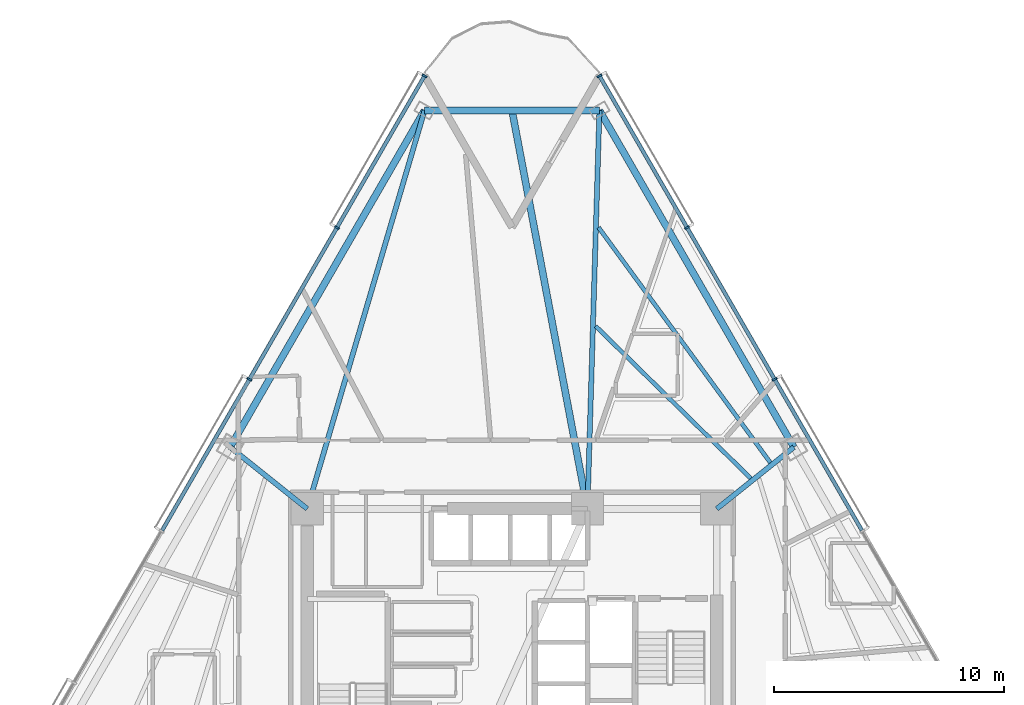
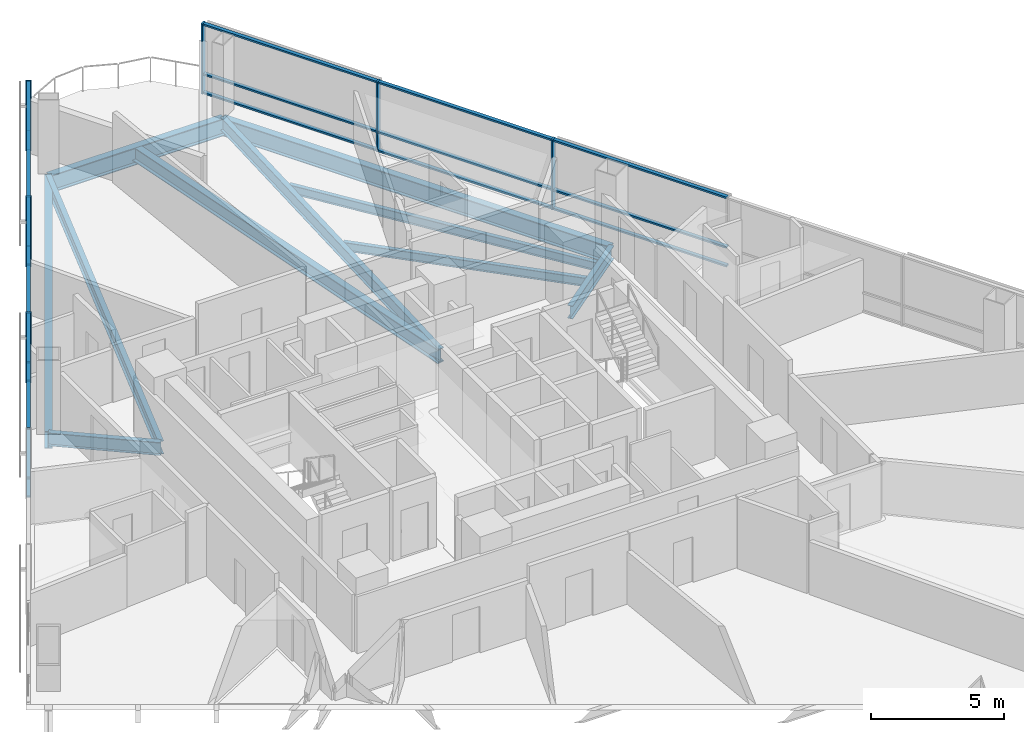
# One storey, part 5 of 18: 24 members, 10 beams, 2 elements without a shape of their own.
"""IFC4 building model written with IfcOpenShell, lengths in metres."""

import ifcopenshell
import ifcopenshell.guid

model = None  # the IFC model being written
_history = None  # IfcOwnerHistory: only IFC2X3 demands one
_inside = {}  # id of a spatial element -> (the spatial element, [elements in it])
_under = {}  # id of a project, library or spatial element -> (it, [spatial elements below it])
_declared = {}  # id of a project -> (the project, [libraries it declares])
_typed = {}  # id of a type object -> (the type object, [elements of that type])
_made_of = {}  # id of a material, layer set ... -> (it, [elements and type objects made of it])


def new_model(schema):
    """Start an empty IFC model of exactly this schema.

    Asked for "IFC4X3", IfcOpenShell would pick the latest addendum, in which some entities
    have other attributes; the version numbers below select the first issue.
    IFC2X3 requires an IfcOwnerHistory on every rooted entity: one is made here for all.
    """
    global model, _history
    if schema == "IFC4X3":
        model = ifcopenshell.file(schema_version=(4, 3, 0, 0))
    else:
        model = ifcopenshell.file(schema=schema)
    _inside.clear()
    _under.clear()
    _declared.clear()
    _typed.clear()
    _made_of.clear()
    _history = None
    if model.schema == "IFC2X3":
        org = make("IfcOrganization", Name="unknown")
        user = make(
            "IfcPersonAndOrganization",
            ThePerson=make("IfcPerson", FamilyName="unknown"),
            TheOrganization=org,
        )
        app = make(
            "IfcApplication",
            ApplicationDeveloper=org,
            Version="unknown",
            ApplicationFullName="unknown",
            ApplicationIdentifier="unknown",
        )
        _history = make(
            "IfcOwnerHistory",
            OwningUser=user,
            OwningApplication=app,
            ChangeAction="ADDED",
            CreationDate=0,
        )
    return model


def make(cls, **values):
    """One entity of the class cls with the attributes given. An attribute that is None is left unset."""
    return model.create_entity(
        cls, **{name: value for name, value in values.items() if value is not None}
    )


def rooted(cls, **values):
    """An entity with a GlobalId (a new one), such as an element, a storey or a relation."""
    return make(cls, GlobalId=ifcopenshell.guid.new(), OwnerHistory=_history, **values)


def si_unit(unit_type, name, prefix=None):
    """IfcSIUnit, for example si_unit("LENGTHUNIT", "METRE", prefix="MILLI")."""
    return make("IfcSIUnit", UnitType=unit_type, Prefix=prefix, Name=name)


def assignment(units):
    """IfcUnitAssignment: the units of a project."""
    return None if units is None else make("IfcUnitAssignment", Units=units)


def point(xyz):
    """IfcCartesianPoint."""
    return None if xyz is None else make("IfcCartesianPoint", Coordinates=xyz)


def direction(xyz):
    """IfcDirection."""
    return None if xyz is None else make("IfcDirection", DirectionRatios=xyz)


def frame(location, z_axis=None, x_axis=None):
    """IfcAxis2Placement3D, a coordinate frame: its origin and axes. An axis left out is left unset."""
    return make(
        "IfcAxis2Placement3D",
        Location=point(location),
        Axis=direction(z_axis),
        RefDirection=direction(x_axis),
    )


def frame_2d(location, x_axis=None):
    """IfcAxis2Placement2D, a coordinate frame in the plane: its origin and x axis."""
    return make(
        "IfcAxis2Placement2D", Location=point(location), RefDirection=direction(x_axis)
    )


def origin():
    """The frame at (0, 0, 0) with its axes left unset."""
    return frame((0.0, 0.0, 0.0))


def origin_2d():
    """The frame at (0, 0) in the plane with its x axis left unset."""
    return frame_2d((0.0, 0.0))


def place(relative_to, where):
    """IfcLocalPlacement: puts the frame where relative to a parent placement (None: the world)."""
    return make(
        "IfcLocalPlacement", PlacementRelTo=relative_to, RelativePlacement=where
    )


def context(
    kind, dimensions, precision=None, world=None, true_north=None, identifier=None
):
    """IfcGeometricRepresentationContext, for example the 3D "Model" context."""
    return make(
        "IfcGeometricRepresentationContext",
        ContextIdentifier=identifier,
        ContextType=kind,
        CoordinateSpaceDimension=dimensions,
        Precision=precision,
        WorldCoordinateSystem=world,
        TrueNorth=true_north,
    )


def subcontext(parent, identifier, kind, view, scale=None):
    """IfcGeometricRepresentationSubContext, for example "Body" below "Model"."""
    return make(
        "IfcGeometricRepresentationSubContext",
        ContextIdentifier=identifier,
        ContextType=kind,
        ParentContext=parent,
        TargetScale=scale,
        TargetView=view,
    )


def project(units=None, contexts=None):
    """IfcProject with its units and contexts."""
    return rooted(
        "IfcProject",
        Name="project",
        RepresentationContexts=contexts,
        UnitsInContext=assignment(units),
    )


def spatial(cls, under=None, at=None, **own):
    """A site, building, storey or space (cls), placed at a placement, below another one or the project."""
    s = rooted(cls, ObjectPlacement=at, **own)
    if under is not None:
        _under.setdefault(under.id(), (under, []))[1].append(s)
    return s


def profile(cls, at=None, kind="AREA", **sizes):
    """A parametric profile (cls). Its sizes go by their IFC names, for example OverallWidth=200.0."""
    return make(cls, ProfileType=kind, Position=at, **sizes)


def rectangle(**sizes):
    """IfcRectangleProfileDef."""
    return profile("IfcRectangleProfileDef", **sizes)


def i_section(**sizes):
    """IfcIShapeProfileDef."""
    return profile("IfcIShapeProfileDef", **sizes)


def extrude(swept, where, along, depth):
    """IfcExtrudedAreaSolid: the profile swept, set in the frame where, extruded along a direction by depth."""
    return make(
        "IfcExtrudedAreaSolid",
        SweptArea=swept,
        Position=where,
        ExtrudedDirection=direction(along),
        Depth=depth,
    )


def shape(context_of_items, identifier, shape_type, items):
    """IfcShapeRepresentation: the items that make up one representation, for example the "Body"."""
    return make(
        "IfcShapeRepresentation",
        ContextOfItems=context_of_items,
        RepresentationIdentifier=identifier,
        RepresentationType=shape_type,
        Items=items,
    )


def material(Name=None, Category=None):
    """IfcMaterial."""
    return make("IfcMaterial", Name=Name, Category=Category)


def layer(
    of_material, thickness, ventilated=None, Name=None, Category=None, Priority=None
):
    """IfcMaterialLayer: one layer of a wall or slab, of a material (None: an air gap)."""
    return make(
        "IfcMaterialLayer",
        Material=of_material,
        LayerThickness=thickness,
        IsVentilated=ventilated,
        Name=Name,
        Category=Category,
        Priority=Priority,
    )


def layer_set(layers, Name=None):
    """IfcMaterialLayerSet."""
    return make("IfcMaterialLayerSet", MaterialLayers=layers, LayerSetName=Name)


def material_profile(
    of_material, cross_section, Name=None, Category=None, Priority=None
):
    """IfcMaterialProfile: a cross section and its material."""
    return make(
        "IfcMaterialProfile",
        Name=Name,
        Material=of_material,
        Profile=cross_section,
        Priority=Priority,
        Category=Category,
    )


def profile_set(profiles, Name=None, composite=None):
    """IfcMaterialProfileSet."""
    return make(
        "IfcMaterialProfileSet",
        Name=Name,
        MaterialProfiles=profiles,
        CompositeProfile=composite,
    )


def made_of(thing, what):
    """Note that an element or type object is made of a material, layer set ...; save() writes the relation."""
    if what is not None:
        _made_of.setdefault(what.id(), (what, []))[1].append(thing)
    return thing


def type_object(cls, material=None, **own):
    """A type object (cls), such as IfcWallType, which elements share."""
    return made_of(rooted(cls, **own), material)


def element(
    cls,
    number,
    at=None,
    inside=None,
    cuts=None,
    type_object=None,
    material=None,
    context=None,
    identifier="Body",
    shape_type=None,
    held_by="IfcProductDefinitionShape",
    body=None,
    shapes=None,
    **own,
):
    """One element of the class cls, such as IfcWall. Its Tag is "e" and its number.

    at: its placement. inside: the storey or other place that contains it. cuts: it is an
    opening in that element (IfcRelVoidsElement). A single representation is given by context,
    identifier, shape_type and body (its items); several are given by shapes. held_by: the class
    of the entity that holds the representations. save() writes the other relations.
    """
    e = rooted(cls, Tag="e%d" % number, ObjectPlacement=at, **own)
    if body is not None:
        shapes = [shape(context, identifier, shape_type, body)]
    if shapes is not None:
        e.Representation = make(held_by, Representations=shapes)
    if inside is not None:
        _inside.setdefault(inside.id(), (inside, []))[1].append(e)
    if cuts is not None:
        rooted(
            "IfcRelVoidsElement", RelatingBuildingElement=cuts, RelatedOpeningElement=e
        )
    if type_object is not None:
        _typed.setdefault(type_object.id(), (type_object, []))[1].append(e)
    return made_of(e, material)


def aggregate(whole, parts):
    """IfcRelAggregates: a whole, such as a stair, and the parts it consists of."""
    return rooted("IfcRelAggregates", RelatingObject=whole, RelatedObjects=parts)


def save(model, path):
    """Write the relations noted so far, then the file.

    IfcRelAggregates (storeys below a building ...), IfcRelContainedInSpatialStructure (elements
    in a storey), IfcRelDefinesByType, IfcRelAssociatesMaterial and IfcRelDeclares: one each for
    every whole, place, type object, material and project.
    """
    for whole, parts in _under.values():
        aggregate(whole, parts)
    for where, things in _inside.values():
        rooted(
            "IfcRelContainedInSpatialStructure",
            RelatedElements=things,
            RelatingStructure=where,
        )
    for kind, things in _typed.values():
        rooted("IfcRelDefinesByType", RelatedObjects=things, RelatingType=kind)
    for what, things in _made_of.values():
        rooted("IfcRelAssociatesMaterial", RelatedObjects=things, RelatingMaterial=what)
    for by, libraries in _declared.values():
        rooted("IfcRelDeclares", RelatingContext=by, RelatedDefinitions=libraries)
    model.write(path)


model = new_model("IFC4")

# Units and contexts
model_context = context("Model", 3, precision=1e-05, world=origin(), true_north=direction((0.0, 1.0)))
body_context = subcontext(model_context, "Body", "Model", "MODEL_VIEW")
ifc_project = project(units=[si_unit("LENGTHUNIT", "METRE"), si_unit("AREAUNIT", "SQUARE_METRE"), si_unit("VOLUMEUNIT", "CUBIC_METRE"), si_unit("PLANEANGLEUNIT", "RADIAN"), si_unit("MASSUNIT", "GRAM", prefix="KILO")], contexts=[model_context])

# Site, building, storey
site_placement = place(None, origin())
site = spatial("IfcSite", under=ifc_project, at=site_placement, CompositionType="ELEMENT")
building_placement = place(site_placement, origin())
building = spatial("IfcBuilding", under=site, at=building_placement, Name="Tharavind Bronze Gate", CompositionType="ELEMENT")
storey_placement = place(building_placement, frame((0.0, 0.0, 38.64990234375)))
storey = spatial("IfcBuildingStorey", under=building, at=storey_placement, Name="L08", CompositionType="ELEMENT", Elevation=38.64990234375)

# Curtain wall, members
ifc_material_1 = material(Name="Anodised Bronze Aluminium", Category="aluminium")
ifc_layer = layer(ifc_material_1, 0.219970703125)
ifc_layer_set = layer_set([ifc_layer], Name="Anodised Bronze Aluminium")
curtain_wall_type = type_object("IfcCurtainWallType", Name="UNITISED CURTAIN WALL HOTEL", PredefinedType="USERDEFINED", material=ifc_layer_set)
curtain_wall_1_placement = place(storey_placement, origin())
curtain_wall_1 = element("IfcCurtainWall", 1, at=curtain_wall_1_placement, inside=storey, type_object=curtain_wall_type, Name="L08 unitised curtain wall hotel CW-L08-S1", ObjectType="UNITISED CURTAIN WALL", PredefinedType="USERDEFINED")
member_type_1 = type_object("IfcMemberType", Name="CURTAIN WALL MULLION 80X220", PredefinedType="MULLION", material=ifc_material_1)
member_1_placement = place(storey_placement, frame((-3.800048828125, 26.418212890625, 0.0), z_axis=(0.0, 0.0, 1.0), x_axis=(-0.500001511499, -0.866024531118, 0.0)))
member_1 = element("IfcMember", 2, at=member_1_placement, type_object=member_type_1, Name="CW-L08-S1 mullion 1", PredefinedType="MULLION", context=body_context, shape_type="SweptSolid", body=[
    extrude(rectangle(XDim=0.080078125, YDim=0.219970703125, at=origin_2d()), origin(), (0.0, 0.0, 1.0), 3.22509765625),
])
member_2_placement = place(storey_placement, frame((-7.60791015625, 19.822509765625, 0.0), z_axis=(0.0, 0.0, 1.0), x_axis=(-0.500001511499, -0.866024531118, 0.0)))
member_2 = element("IfcMember", 3, at=member_2_placement, type_object=member_type_1, Name="CW-L08-S1 mullion 2", PredefinedType="MULLION", context=body_context, shape_type="SweptSolid", body=[
    extrude(rectangle(XDim=0.080078125, YDim=0.219970703125, at=origin_2d()), origin(), (0.0, 0.0, 1.0), 3.22509765625),
])
member_3_placement = place(storey_placement, frame((-11.416015625, 13.22705078125, 0.0), z_axis=(0.0, 0.0, 1.0), x_axis=(-0.500001511499, -0.866024531118, 0.0)))
member_3 = element("IfcMember", 4, at=member_3_placement, type_object=member_type_1, Name="CW-L08-S1 mullion 3", PredefinedType="MULLION", context=body_context, shape_type="SweptSolid", body=[
    extrude(rectangle(XDim=0.080078125, YDim=0.219970703125, at=origin_2d()), origin(), (0.0, 0.0, 1.0), 3.22509765625),
])

curtain_wall_2_placement = place(storey_placement, origin())
curtain_wall_2 = element("IfcCurtainWall", 5, at=curtain_wall_2_placement, inside=storey, type_object=curtain_wall_type, Name="L08 unitised curtain wall hotel CW-L08-S3", ObjectType="UNITISED CURTAIN WALL", PredefinedType="USERDEFINED")
member_4_placement = place(storey_placement, frame((11.416015625, 13.22705078125, 0.0), z_axis=(0.0, 0.0, 1.0), x_axis=(-0.500001511499, 0.866024531118, 0.0)))
member_4 = element("IfcMember", 6, at=member_4_placement, type_object=member_type_1, Name="CW-L08-S3 mullion 6", PredefinedType="MULLION", context=body_context, shape_type="SweptSolid", body=[
    extrude(rectangle(XDim=0.080078125, YDim=0.219970703125, at=origin_2d()), origin(), (0.0, 0.0, 1.0), 3.22509765625),
])
member_5_placement = place(storey_placement, frame((7.60791015625, 19.822509765625, 0.0), z_axis=(0.0, 0.0, 1.0), x_axis=(-0.500001511499, 0.866024531118, 0.0)))
member_5 = element("IfcMember", 7, at=member_5_placement, type_object=member_type_1, Name="CW-L08-S3 mullion 7", PredefinedType="MULLION", context=body_context, shape_type="SweptSolid", body=[
    extrude(rectangle(XDim=0.080078125, YDim=0.219970703125, at=origin_2d()), origin(), (0.0, 0.0, 1.0), 3.22509765625),
])
member_6_placement = place(storey_placement, frame((3.800048828125, 26.418212890625, 0.0), z_axis=(0.0, 0.0, 1.0), x_axis=(-0.500001511499, 0.866024531118, 0.0)))
member_6 = element("IfcMember", 8, at=member_6_placement, type_object=member_type_1, Name="CW-L08-S3 mullion 8", PredefinedType="MULLION", context=body_context, shape_type="SweptSolid", body=[
    extrude(rectangle(XDim=0.080078125, YDim=0.219970703125, at=origin_2d()), origin(), (0.0, 0.0, 1.0), 3.22509765625),
])

# Member
member_type_2 = type_object("IfcMemberType", Name="CURTAIN WALL TRANSOM 80X160", PredefinedType="USERDEFINED", material=ifc_material_1)
member_7_placement = place(storey_placement, frame((-5.7041015625, 23.120361328125, 0.0), z_axis=(0.0, 0.0, 1.0), x_axis=(-0.500001511499, -0.866024531118, 0.0)))
member_7 = element("IfcMember", 9, at=member_7_placement, type_object=member_type_2, Name="CW-L08-S1 transom TB1", ObjectType="TRANSOM", PredefinedType="USERDEFINED", context=body_context, shape_type="SweptSolid", body=[
    extrude(rectangle(XDim=7.5478515625, YDim=0.159912109375, at=origin_2d()), origin(), (0.0, 0.0, 1.0), 0.080078125),
])

member_8_placement = place(storey_placement, frame((-5.7041015625, 23.120361328125, 0.860107421875), z_axis=(0.0, 0.0, 1.0), x_axis=(-0.500001511499, -0.866024531118, 0.0)))
member_8 = element("IfcMember", 10, at=member_8_placement, type_object=member_type_2, Name="CW-L08-S1 transom TS1", ObjectType="TRANSOM", PredefinedType="USERDEFINED", context=body_context, shape_type="SweptSolid", body=[
    extrude(rectangle(XDim=7.5478515625, YDim=0.159912109375, at=origin_2d()), origin(), (0.0, 0.0, 1.0), 0.080078125),
])

member_9_placement = place(storey_placement, frame((-5.7041015625, 23.120361328125, 3.14501953125), z_axis=(0.0, 0.0, 1.0), x_axis=(-0.500001511499, -0.866024531118, 0.0)))
member_9 = element("IfcMember", 11, at=member_9_placement, type_object=member_type_2, Name="CW-L08-S1 transom TT1", ObjectType="TRANSOM", PredefinedType="USERDEFINED", context=body_context, shape_type="SweptSolid", body=[
    extrude(rectangle(XDim=7.5478515625, YDim=0.159912109375, at=origin_2d()), origin(), (0.0, 0.0, 1.0), 0.080078125),
])

member_10_placement = place(storey_placement, frame((-9.511962890625, 16.52490234375, 0.0), z_axis=(0.0, 0.0, 1.0), x_axis=(-0.500001511499, -0.866024531118, 0.0)))
member_10 = element("IfcMember", 12, at=member_10_placement, type_object=member_type_2, Name="CW-L08-S1 transom TB2", ObjectType="TRANSOM", PredefinedType="USERDEFINED", context=body_context, shape_type="SweptSolid", body=[
    extrude(rectangle(XDim=7.5478515625, YDim=0.159912109375, at=origin_2d()), origin(), (0.0, 0.0, 1.0), 0.080078125),
])

member_11_placement = place(storey_placement, frame((-9.511962890625, 16.52490234375, 0.860107421875), z_axis=(0.0, 0.0, 1.0), x_axis=(-0.500001511499, -0.866024531118, 0.0)))
member_11 = element("IfcMember", 13, at=member_11_placement, type_object=member_type_2, Name="CW-L08-S1 transom TS2", ObjectType="TRANSOM", PredefinedType="USERDEFINED", context=body_context, shape_type="SweptSolid", body=[
    extrude(rectangle(XDim=7.5478515625, YDim=0.159912109375, at=origin_2d()), origin(), (0.0, 0.0, 1.0), 0.080078125),
])

member_12_placement = place(storey_placement, frame((-9.511962890625, 16.52490234375, 3.14501953125), z_axis=(0.0, 0.0, 1.0), x_axis=(-0.500001511499, -0.866024531118, 0.0)))
member_12 = element("IfcMember", 14, at=member_12_placement, type_object=member_type_2, Name="CW-L08-S1 transom TT2", ObjectType="TRANSOM", PredefinedType="USERDEFINED", context=body_context, shape_type="SweptSolid", body=[
    extrude(rectangle(XDim=7.5478515625, YDim=0.159912109375, at=origin_2d()), origin(), (0.0, 0.0, 1.0), 0.080078125),
])

member_13_placement = place(storey_placement, frame((-13.31982421875, 9.92919921875, 0.0), z_axis=(0.0, 0.0, 1.0), x_axis=(-0.500001511499, -0.866024531118, 0.0)))
member_13 = element("IfcMember", 15, at=member_13_placement, type_object=member_type_2, Name="CW-L08-S1 transom TB3", ObjectType="TRANSOM", PredefinedType="USERDEFINED", context=body_context, shape_type="SweptSolid", body=[
    extrude(rectangle(XDim=7.5478515625, YDim=0.159912109375, at=origin_2d()), origin(), (0.0, 0.0, 1.0), 0.080078125),
])

member_14_placement = place(storey_placement, frame((-13.31982421875, 9.92919921875, 0.860107421875), z_axis=(0.0, 0.0, 1.0), x_axis=(-0.500001511499, -0.866024531118, 0.0)))
member_14 = element("IfcMember", 16, at=member_14_placement, type_object=member_type_2, Name="CW-L08-S1 transom TS3", ObjectType="TRANSOM", PredefinedType="USERDEFINED", context=body_context, shape_type="SweptSolid", body=[
    extrude(rectangle(XDim=7.5478515625, YDim=0.159912109375, at=origin_2d()), origin(), (0.0, 0.0, 1.0), 0.080078125),
])

member_15_placement = place(storey_placement, frame((-13.31982421875, 9.92919921875, 3.14501953125), z_axis=(0.0, 0.0, 1.0), x_axis=(-0.500001511499, -0.866024531118, 0.0)))
member_15 = element("IfcMember", 17, at=member_15_placement, type_object=member_type_2, Name="CW-L08-S1 transom TT3", ObjectType="TRANSOM", PredefinedType="USERDEFINED", context=body_context, shape_type="SweptSolid", body=[
    extrude(rectangle(XDim=7.5478515625, YDim=0.159912109375, at=origin_2d()), origin(), (0.0, 0.0, 1.0), 0.080078125),
])

aggregate(curtain_wall_1, [member_1, member_2, member_3, member_7, member_8, member_9, member_10, member_11, member_12, member_13, member_14, member_15])

member_16_placement = place(storey_placement, frame((13.31982421875, 9.92919921875, 0.0), z_axis=(0.0, 0.0, 1.0), x_axis=(-0.500001511499, 0.866024531118, 0.0)))
member_16 = element("IfcMember", 18, at=member_16_placement, type_object=member_type_2, Name="CW-L08-S3 transom TB5", ObjectType="TRANSOM", PredefinedType="USERDEFINED", context=body_context, shape_type="SweptSolid", body=[
    extrude(rectangle(XDim=7.5478515625, YDim=0.159912109375, at=origin_2d()), origin(), (0.0, 0.0, 1.0), 0.080078125),
])

member_17_placement = place(storey_placement, frame((13.31982421875, 9.92919921875, 0.860107421875), z_axis=(0.0, 0.0, 1.0), x_axis=(-0.500001511499, 0.866024531118, 0.0)))
member_17 = element("IfcMember", 19, at=member_17_placement, type_object=member_type_2, Name="CW-L08-S3 transom TS5", ObjectType="TRANSOM", PredefinedType="USERDEFINED", context=body_context, shape_type="SweptSolid", body=[
    extrude(rectangle(XDim=7.5478515625, YDim=0.159912109375, at=origin_2d()), origin(), (0.0, 0.0, 1.0), 0.080078125),
])

member_18_placement = place(storey_placement, frame((13.31982421875, 9.92919921875, 3.14501953125), z_axis=(0.0, 0.0, 1.0), x_axis=(-0.500001511499, 0.866024531118, 0.0)))
member_18 = element("IfcMember", 20, at=member_18_placement, type_object=member_type_2, Name="CW-L08-S3 transom TT5", ObjectType="TRANSOM", PredefinedType="USERDEFINED", context=body_context, shape_type="SweptSolid", body=[
    extrude(rectangle(XDim=7.5478515625, YDim=0.159912109375, at=origin_2d()), origin(), (0.0, 0.0, 1.0), 0.080078125),
])

member_19_placement = place(storey_placement, frame((9.511962890625, 16.52490234375, 0.0), z_axis=(0.0, 0.0, 1.0), x_axis=(-0.500001511499, 0.866024531118, 0.0)))
member_19 = element("IfcMember", 21, at=member_19_placement, type_object=member_type_2, Name="CW-L08-S3 transom TB6", ObjectType="TRANSOM", PredefinedType="USERDEFINED", context=body_context, shape_type="SweptSolid", body=[
    extrude(rectangle(XDim=7.5478515625, YDim=0.159912109375, at=origin_2d()), origin(), (0.0, 0.0, 1.0), 0.080078125),
])

member_20_placement = place(storey_placement, frame((9.511962890625, 16.52490234375, 0.860107421875), z_axis=(0.0, 0.0, 1.0), x_axis=(-0.500001511499, 0.866024531118, 0.0)))
member_20 = element("IfcMember", 22, at=member_20_placement, type_object=member_type_2, Name="CW-L08-S3 transom TS6", ObjectType="TRANSOM", PredefinedType="USERDEFINED", context=body_context, shape_type="SweptSolid", body=[
    extrude(rectangle(XDim=7.5478515625, YDim=0.159912109375, at=origin_2d()), origin(), (0.0, 0.0, 1.0), 0.080078125),
])

member_21_placement = place(storey_placement, frame((9.511962890625, 16.52490234375, 3.14501953125), z_axis=(0.0, 0.0, 1.0), x_axis=(-0.500001511499, 0.866024531118, 0.0)))
member_21 = element("IfcMember", 23, at=member_21_placement, type_object=member_type_2, Name="CW-L08-S3 transom TT6", ObjectType="TRANSOM", PredefinedType="USERDEFINED", context=body_context, shape_type="SweptSolid", body=[
    extrude(rectangle(XDim=7.5478515625, YDim=0.159912109375, at=origin_2d()), origin(), (0.0, 0.0, 1.0), 0.080078125),
])

member_22_placement = place(storey_placement, frame((5.7041015625, 23.120361328125, 0.0), z_axis=(0.0, 0.0, 1.0), x_axis=(-0.500001511499, 0.866024531118, 0.0)))
member_22 = element("IfcMember", 24, at=member_22_placement, type_object=member_type_2, Name="CW-L08-S3 transom TB7", ObjectType="TRANSOM", PredefinedType="USERDEFINED", context=body_context, shape_type="SweptSolid", body=[
    extrude(rectangle(XDim=7.5478515625, YDim=0.159912109375, at=origin_2d()), origin(), (0.0, 0.0, 1.0), 0.080078125),
])

member_23_placement = place(storey_placement, frame((5.7041015625, 23.120361328125, 0.860107421875), z_axis=(0.0, 0.0, 1.0), x_axis=(-0.500001511499, 0.866024531118, 0.0)))
member_23 = element("IfcMember", 25, at=member_23_placement, type_object=member_type_2, Name="CW-L08-S3 transom TS7", ObjectType="TRANSOM", PredefinedType="USERDEFINED", context=body_context, shape_type="SweptSolid", body=[
    extrude(rectangle(XDim=7.5478515625, YDim=0.159912109375, at=origin_2d()), origin(), (0.0, 0.0, 1.0), 0.080078125),
])

member_24_placement = place(storey_placement, frame((5.7041015625, 23.120361328125, 3.14501953125), z_axis=(0.0, 0.0, 1.0), x_axis=(-0.500001511499, 0.866024531118, 0.0)))
member_24 = element("IfcMember", 26, at=member_24_placement, type_object=member_type_2, Name="CW-L08-S3 transom TT7", ObjectType="TRANSOM", PredefinedType="USERDEFINED", context=body_context, shape_type="SweptSolid", body=[
    extrude(rectangle(XDim=7.5478515625, YDim=0.159912109375, at=origin_2d()), origin(), (0.0, 0.0, 1.0), 0.080078125),
])

aggregate(curtain_wall_2, [member_4, member_5, member_6, member_16, member_17, member_18, member_19, member_20, member_21, member_22, member_23, member_24])

# Beams
ifc_material_2 = material(Name="Steel S355", Category="steel")
ifc_material_profile_1 = material_profile(ifc_material_2, i_section(OverallWidth=0.300048828125, OverallDepth=0.64990234375, WebThickness=0.01611328125, FlangeThickness=0.031005859375, at=origin_2d()), Name="HE650B")
ifc_profile_set_1 = profile_set([ifc_material_profile_1], Name="Steel S355")
beam_type_1 = type_object("IfcBeamType", Name="PRIMARY GIRDER HE650B", PredefinedType="USERDEFINED", material=ifc_profile_set_1)
beam_1_placement = place(storey_placement, frame((3.280029296875, 7.60009765625, -0.5), z_axis=(-0.186090445171, 0.982532618398, 0.0), x_axis=(-0.982532618398, -0.186090445171, 0.0)))
element("IfcBeam", 27, at=beam_1_placement, inside=storey, type_object=beam_type_1, Name="L08 primary girder he650b BM-L08-BLCSB", ObjectType="GIRDER", PredefinedType="USERDEFINED", context=body_context, shape_type="SweptSolid", body=[
    extrude(i_section(OverallWidth=0.300048828125, OverallDepth=0.64990234375, WebThickness=0.01611328125, FlangeThickness=0.031005859375, at=origin_2d()), origin(), (0.0, 0.0, 1.0), 17.6259765625),
])
ifc_material_profile_2 = material_profile(ifc_material_2, i_section(OverallWidth=0.219970703125, OverallDepth=0.60009765625, WebThickness=0.011962890625, FlangeThickness=0.01904296875, at=origin_2d()), Name="IPE600")
ifc_profile_set_2 = profile_set([ifc_material_profile_2], Name="Steel S355")
beam_type_2 = type_object("IfcBeamType", Name="PRIMARY GIRDER IPE600", PredefinedType="USERDEFINED", material=ifc_profile_set_2)
beam_2_placement = place(storey_placement, frame((-3.800048828125, 24.918212890625, -0.474853515625), z_axis=(-0.282486989934, -0.959271129826, 0.0), x_axis=(0.959271129826, -0.282486989934, 0.0)))
element("IfcBeam", 28, at=beam_2_placement, inside=storey, type_object=beam_type_2, Name="L08 primary girder ipe600 BM-L08-RAD01", ObjectType="GIRDER", PredefinedType="USERDEFINED", context=body_context, shape_type="SweptSolid", body=[
    extrude(i_section(OverallWidth=0.219970703125, OverallDepth=0.60009765625, WebThickness=0.011962890625, FlangeThickness=0.01904296875, at=origin_2d()), origin(), (0.0, 0.0, 1.0), 18.053466796875),
])
for number, where, z_axis, x_axis, name in (
    (29, (-12.252197265625, 10.278564453125, -0.474853515625), (0.781251676118, -0.62421616333, 0.0), (0.62421616333, 0.781251676118, 0.0), "L08 primary girder ipe600 BM-L08-RAD02"),
    (30, (12.252197265625, 10.278564453125, -0.474853515625), (-0.781251676118, -0.62421616333, 0.0), (0.62421616333, -0.781251676118, 0.0), "L08 primary girder ipe600 BM-L08-RAD11"),
):
    element("IfcBeam", number, at=place(storey_placement, frame(where, z_axis=z_axis, x_axis=x_axis)), inside=storey, type_object=beam_type_2, Name=name, ObjectType="GIRDER", PredefinedType="USERDEFINED", context=body_context, shape_type="SweptSolid", body=[
        extrude(i_section(OverallWidth=0.219970703125, OverallDepth=0.60009765625, WebThickness=0.011962890625, FlangeThickness=0.01904296875, at=origin_2d()), origin(), (0.0, 0.0, 1.0), 4.291015625),
    ])
beam_3_placement = place(storey_placement, frame((3.800048828125, 24.918212890625, -0.474853515625), z_axis=(-0.030013961958, -0.999549479559, 0.0), x_axis=(0.999549479559, -0.030013961958, 0.0)))
element("IfcBeam", 31, at=beam_3_placement, inside=storey, type_object=beam_type_2, Name="L08 primary girder ipe600 BM-L08-RAD12", ObjectType="GIRDER", PredefinedType="USERDEFINED", context=body_context, shape_type="SweptSolid", body=[
    extrude(i_section(OverallWidth=0.219970703125, OverallDepth=0.60009765625, WebThickness=0.011962890625, FlangeThickness=0.01904296875, at=origin_2d()), origin(), (0.0, 0.0, 1.0), 17.325927734375),
])
ifc_material_profile_3 = material_profile(ifc_material_2, i_section(OverallWidth=0.300048828125, OverallDepth=0.800048828125, WebThickness=0.017578125, FlangeThickness=0.032958984375, at=origin_2d()), Name="HE800B")
ifc_profile_set_3 = profile_set([ifc_material_profile_3], Name="Steel S355")
beam_type_3 = type_object("IfcBeamType", Name="RING GIRDER HE800B", PredefinedType="USERDEFINED", material=ifc_profile_set_3)
for number, where, z_axis, x_axis, name in (
    (32, (-3.800048828125, 24.918212890625, -0.574951171875), (-0.499997491977, -0.866026851788, 0.0), (0.866026851788, -0.499997491977, 0.0), "L08 ring girder he800b BM-L08-PRG01"),
    (33, (12.252197265625, 10.278564453125, -0.574951171875), (-0.499997491977, 0.866026851788, 0.0), (-0.866026851788, -0.499997491977, 0.0), "L08 ring girder he800b BM-L08-PRG11"),
):
    element("IfcBeam", number, at=place(storey_placement, frame(where, z_axis=z_axis, x_axis=x_axis)), inside=storey, type_object=beam_type_3, Name=name, ObjectType="GIRDER", PredefinedType="USERDEFINED", context=body_context, shape_type="SweptSolid", body=[
        extrude(i_section(OverallWidth=0.300048828125, OverallDepth=0.800048828125, WebThickness=0.017578125, FlangeThickness=0.032958984375, at=origin_2d()), origin(), (0.0, 0.0, 1.0), 16.904296875),
    ])
beam_4_placement = place(storey_placement, frame((3.800048828125, 24.918212890625, -0.574951171875), z_axis=(-1.0, 0.0, 0.0), x_axis=(0.0, -1.0, 0.0)))
element("IfcBeam", 34, at=beam_4_placement, inside=storey, type_object=beam_type_3, Name="L08 ring girder he800b BM-L08-PRG12", ObjectType="GIRDER", PredefinedType="USERDEFINED", context=body_context, shape_type="SweptSolid", body=[
    extrude(i_section(OverallWidth=0.300048828125, OverallDepth=0.800048828125, WebThickness=0.017578125, FlangeThickness=0.032958984375, at=origin_2d()), origin(), (0.0, 0.0, 1.0), 7.60009765625),
])
ifc_material_profile_4 = material_profile(ifc_material_2, i_section(OverallWidth=0.179931640625, OverallDepth=0.39990234375, WebThickness=0.008544921875, FlangeThickness=0.013427734375, at=origin_2d()), Name="IPE400")
ifc_profile_set_4 = profile_set([ifc_material_profile_4], Name="Steel S355")
beam_type_4 = type_object("IfcBeamType", Name="SECONDARY FLOOR JOIST IPE400", PredefinedType="JOIST", material=ifc_profile_set_4)
beam_5_placement = place(storey_placement, frame((10.376953125, 8.92578125, -0.375), z_axis=(-0.713727372998, 0.700423612561, 0.0), x_axis=(-0.700423612561, -0.713727372998, 0.0)))
element("IfcBeam", 35, at=beam_5_placement, inside=storey, type_object=beam_type_4, Name="L08 secondary floor joist ipe400 BM-L08-JSTA11", PredefinedType="JOIST", context=body_context, shape_type="SweptSolid", body=[
    extrude(i_section(OverallWidth=0.179931640625, OverallDepth=0.39990234375, WebThickness=0.008544921875, FlangeThickness=0.013427734375, at=origin_2d()), origin(), (0.0, 0.0, 1.0), 9.450927734375),
])
beam_6_placement = place(storey_placement, frame((11.2294921875, 9.607421875, -0.375), z_axis=(-0.589794717955, 0.807553212285, 0.0), x_axis=(-0.807553212285, -0.589794717955, 0.0)))
element("IfcBeam", 36, at=beam_6_placement, inside=storey, type_object=beam_type_4, Name="L08 secondary floor joist ipe400 BM-L08-JSTB11", PredefinedType="JOIST", context=body_context, shape_type="SweptSolid", body=[
    extrude(i_section(OverallWidth=0.179931640625, OverallDepth=0.39990234375, WebThickness=0.008544921875, FlangeThickness=0.013427734375, at=origin_2d()), origin(), (0.0, 0.0, 1.0), 12.66455078125),
])

save(model, "model.ifc")
